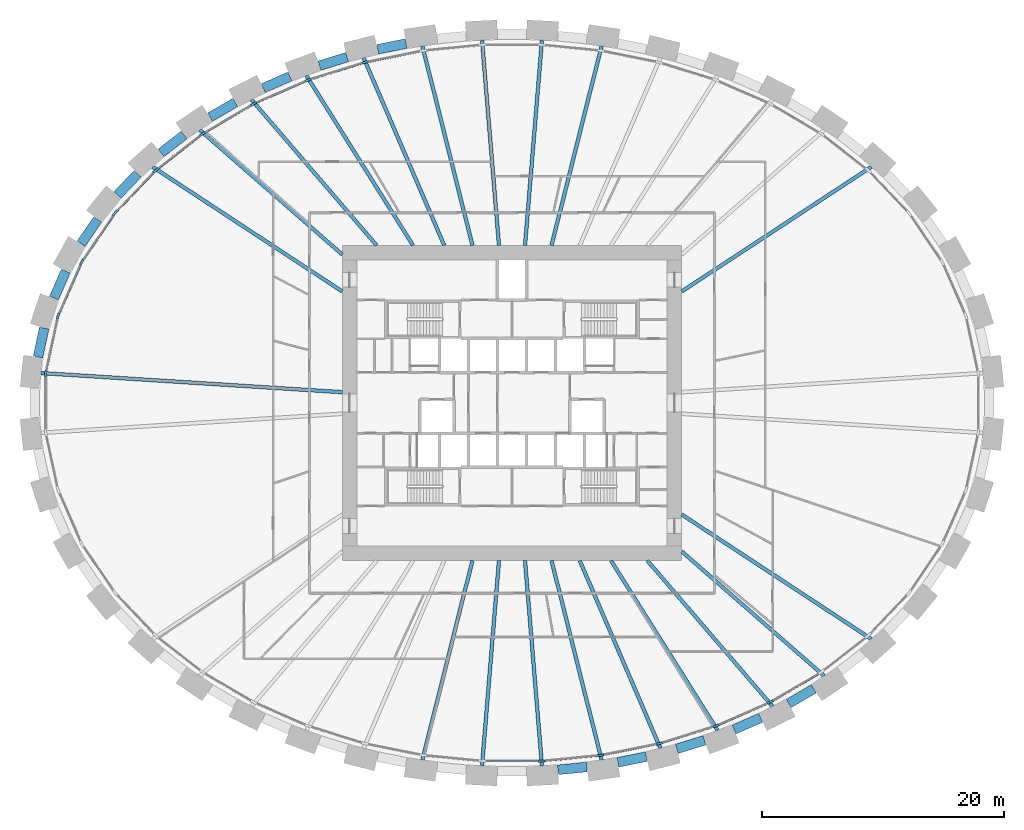
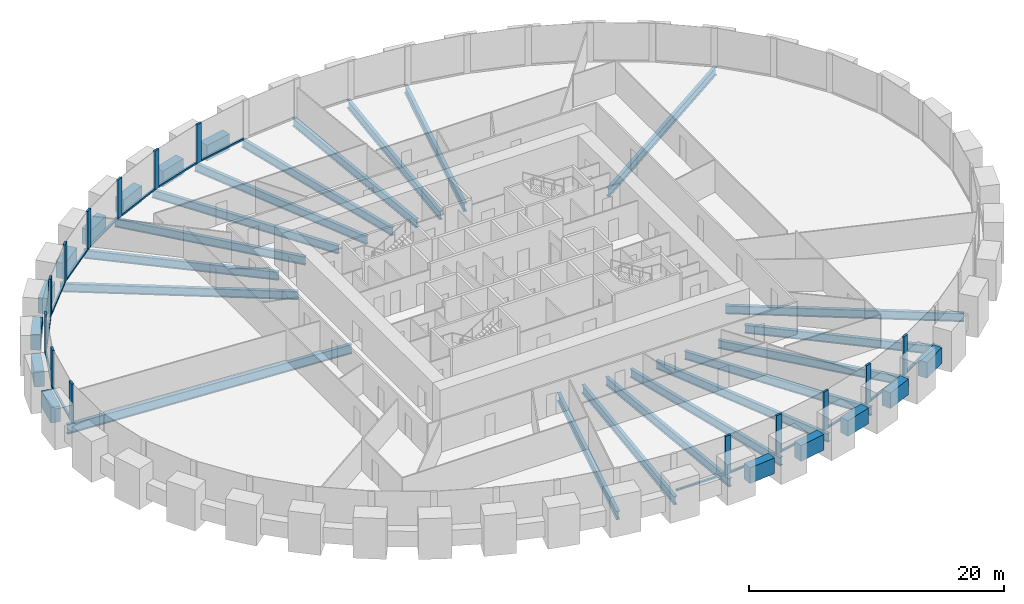
# One storey, part 2 of 11: 34 beams, 29 members, 1 element without a shape of its own.
"""IFC4 building model written with IfcOpenShell, lengths in metres."""

from ifc_helpers import new_model, si_unit, direction, frame, origin, origin_2d, place, context, subcontext, project, spatial, rectangle, i_section, extrude, source, transform, mapped, material, material_profile, profile_set, type_object, element, aggregate, save


model = new_model("IFC4")

# Units and contexts
model_context = context("Model", 3, precision=1e-05, world=origin(), true_north=direction((0.0, 1.0)))
body_context = subcontext(model_context, "Body", "Model", "MODEL_VIEW")
ifc_project = project(units=[si_unit("LENGTHUNIT", "METRE"), si_unit("AREAUNIT", "SQUARE_METRE"), si_unit("VOLUMEUNIT", "CUBIC_METRE"), si_unit("PLANEANGLEUNIT", "RADIAN"), si_unit("MASSUNIT", "GRAM", prefix="KILO")], contexts=[model_context])

# Site, building, storey
site_placement = place(None, origin())
site = spatial("IfcSite", under=ifc_project, at=site_placement, CompositionType="ELEMENT")
building_placement = place(site_placement, origin())
building = spatial("IfcBuilding", under=site, at=building_placement, Name="Embergate Tower", CompositionType="ELEMENT")
storey_placement = place(building_placement, frame((0.0, 0.0, 41.89990234375)))
storey = spatial("IfcBuildingStorey", under=building, at=storey_placement, Name="L06", CompositionType="ELEMENT", Elevation=41.89990234375)

# Beams
ifc_material_1 = material(Name="Concrete C70", Category="concrete")
ifc_material_profile_1 = material_profile(ifc_material_1, rectangle(XDim=0.800048828125, YDim=1.5, at=origin_2d()), Name="RC 800x1500")
ifc_profile_set_1 = profile_set([ifc_material_profile_1], Name="Concrete C70")
beam_type_1 = type_object("IfcBeamType", Name="Spandrel beam RC 800x1500 C70", PredefinedType="BEAM", material=ifc_profile_set_1)
shared_shape_1 = source(origin(), body_context, "Body", "SweptSolid", [
    extrude(rectangle(XDim=0.800048828125, YDim=1.5, at=origin_2d()), origin(), (0.0, 0.0, 1.0), 2.431396484375),
])
beam_1_placement = place(storey_placement, frame((-38.591064453125, 6.178955078125, 0.0), z_axis=(-0.210557552213, -0.977581463207, 0.0), x_axis=(0.977581463207, -0.210557552213, 0.0)))
element("IfcBeam", 1, at=beam_1_placement, inside=storey, type_object=beam_type_1, Name="SPN-L06-20", PredefinedType="BEAM", context=body_context, shape_type="MappedRepresentation", body=[
    mapped(shared_shape_1, transform((0.0, 0.0, 0.0))),
])
shared_shape_2 = source(origin(), body_context, "Body", "SweptSolid", [
    extrude(rectangle(XDim=0.800048828125, YDim=1.5, at=origin_2d()), origin(), (0.0, 0.0, 1.0), 2.42724609375),
])
beam_2_placement = place(storey_placement, frame((-36.81591796875, 10.8759765625, 0.0), z_axis=(-0.401710329843, -0.915766788488, 0.0), x_axis=(0.915766788488, -0.401710329843, 0.0)))
element("IfcBeam", 2, at=beam_2_placement, inside=storey, type_object=beam_type_1, Name="SPN-L06-19", PredefinedType="BEAM", context=body_context, shape_type="MappedRepresentation", body=[
    mapped(shared_shape_2, transform((0.0, 0.0, 0.0))),
])
shared_shape_3 = source(origin(), body_context, "Body", "SweptSolid", [
    extrude(rectangle(XDim=0.800048828125, YDim=1.5, at=origin_2d()), origin(), (0.0, 0.0, 1.0), 2.418701171875),
])
beam_3_placement = place(storey_placement, frame((-34.179931640625, 15.14111328125, 0.0), z_axis=(-0.562340391575, -0.82690584954, 0.0), x_axis=(0.82690584954, -0.562340391575, 0.0)))
element("IfcBeam", 3, at=beam_3_placement, inside=storey, type_object=beam_type_1, Name="SPN-L06-18", PredefinedType="BEAM", context=body_context, shape_type="MappedRepresentation", body=[
    mapped(shared_shape_3, transform((0.0, 0.0, 0.0))),
])
shared_shape_4 = source(origin(), body_context, "Body", "SweptSolid", [
    extrude(rectangle(XDim=0.800048828125, YDim=1.5, at=origin_2d()), origin(), (0.0, 0.0, 1.0), 2.410400390625),
])
beam_4_placement = place(storey_placement, frame((-30.883056640625, 18.907958984375, 0.0), z_axis=(-0.68988529803, -0.723918694027, 0.0), x_axis=(0.723918694027, -0.68988529803, 0.0)))
element("IfcBeam", 4, at=beam_4_placement, inside=storey, type_object=beam_type_1, Name="SPN-L06-17", PredefinedType="BEAM", context=body_context, shape_type="MappedRepresentation", body=[
    mapped(shared_shape_4, transform((0.0, 0.0, 0.0))),
])
shared_shape_5 = source(origin(), body_context, "Body", "SweptSolid", [
    extrude(rectangle(XDim=0.800048828125, YDim=1.5, at=origin_2d()), origin(), (0.0, 0.0, 1.0), 2.40234375),
])
beam_5_placement = place(storey_placement, frame((-27.048095703125, 22.115966796875, 0.0), z_axis=(-0.788327805862, -0.615255451423, 0.0), x_axis=(0.615255451423, -0.788327805862, 0.0)))
element("IfcBeam", 5, at=beam_5_placement, inside=storey, type_object=beam_type_1, Name="SPN-L06-16", PredefinedType="BEAM", context=body_context, shape_type="MappedRepresentation", body=[
    mapped(shared_shape_5, transform((0.0, 0.0, 0.0))),
])
shared_shape_6 = source(origin(), body_context, "Body", "SweptSolid", [
    extrude(rectangle(XDim=0.800048828125, YDim=1.5, at=origin_2d()), origin(), (0.0, 0.0, 1.0), 2.397705078125),
])
for number, where, z_axis, x_axis, name in (
    (6, (-22.8310546875, 24.79296875, 0.0), (-0.86206768602, -0.506793157728, 0.0), (0.506793157728, -0.86206768602, 0.0), "SPN-L06-15"),
    (7, (22.8310546875, -24.79296875, 0.0), (0.86206768602, 0.506793157728, 0.0), (-0.506793157728, 0.86206768602, 0.0), "SPN-L06-37"),
):
    element("IfcBeam", number, at=place(storey_placement, frame(where, z_axis=z_axis, x_axis=x_axis)), inside=storey, type_object=beam_type_1, Name=name, PredefinedType="BEAM", context=body_context, shape_type="MappedRepresentation", body=[
        mapped(shared_shape_6, transform((0.0, 0.0, 0.0))),
    ])
shared_shape_7 = source(origin(), body_context, "Body", "SweptSolid", [
    extrude(rectangle(XDim=0.800048828125, YDim=1.5, at=origin_2d()), origin(), (0.0, 0.0, 1.0), 2.394775390625),
])
for number, where, z_axis, x_axis, name in (
    (8, (-18.321044921875, 26.93505859375, 0.0), (-0.916133934694, -0.40087231596, 0.0), (0.40087231596, -0.916133934694, 0.0), "SPN-L06-14"),
    (9, (18.321044921875, -26.93505859375, 0.0), (0.916133934694, 0.40087231596, 0.0), (-0.40087231596, 0.916133934694, 0.0), "SPN-L06-36"),
):
    element("IfcBeam", number, at=place(storey_placement, frame(where, z_axis=z_axis, x_axis=x_axis)), inside=storey, type_object=beam_type_1, Name=name, PredefinedType="BEAM", context=body_context, shape_type="MappedRepresentation", body=[
        mapped(shared_shape_7, transform((0.0, 0.0, 0.0))),
    ])
shared_shape_8 = source(origin(), body_context, "Body", "SweptSolid", [
    extrude(rectangle(XDim=0.800048828125, YDim=1.5, at=origin_2d()), origin(), (0.0, 0.0, 1.0), 2.388916015625),
])
for number, where, z_axis, x_axis, name in (
    (10, (-13.596923828125, 28.534912109375, 0.0), (-0.954819405725, -0.297186645815, 0.0), (0.297186645815, -0.954819405725, 0.0), "SPN-L06-13"),
    (11, (13.596923828125, -28.534912109375, 0.0), (0.954819405725, 0.297186645815, 0.0), (-0.297186645815, 0.954819405725, 0.0), "SPN-L06-35"),
):
    element("IfcBeam", number, at=place(storey_placement, frame(where, z_axis=z_axis, x_axis=x_axis)), inside=storey, type_object=beam_type_1, Name=name, PredefinedType="BEAM", context=body_context, shape_type="MappedRepresentation", body=[
        mapped(shared_shape_8, transform((0.0, 0.0, 0.0))),
    ])
shared_shape_9 = source(origin(), body_context, "Body", "SweptSolid", [
    extrude(rectangle(XDim=0.800048828125, YDim=1.5, at=origin_2d()), origin(), (0.0, 0.0, 1.0), 2.38818359375),
])
for number, where, z_axis, x_axis, name in (
    (12, (-8.736083984375, 29.64697265625, 0.0), (-0.980529530549, -0.196371687676, 0.0), (0.196371687676, -0.980529530549, 0.0), "SPN-L06-12"),
    (13, (8.736083984375, -29.64697265625, 0.0), (0.980529530549, 0.196371687676, 0.0), (-0.196371687676, 0.980529530549, 0.0), "SPN-L06-34"),
):
    element("IfcBeam", number, at=place(storey_placement, frame(where, z_axis=z_axis, x_axis=x_axis)), inside=storey, type_object=beam_type_1, Name=name, PredefinedType="BEAM", context=body_context, shape_type="MappedRepresentation", body=[
        mapped(shared_shape_9, transform((0.0, 0.0, 0.0))),
    ])
shared_shape_10 = source(origin(), body_context, "Body", "SweptSolid", [
    extrude(rectangle(XDim=0.800048828125, YDim=1.5, at=origin_2d()), origin(), (0.0, 0.0, 1.0), 2.386474609375),
])
beam_6_placement = place(storey_placement, frame((3.7900390625, -30.263916015625, 0.0), z_axis=(0.995225797629, 0.097599240434, 0.0), x_axis=(-0.097599240434, 0.995225797629, 0.0)))
element("IfcBeam", 14, at=beam_6_placement, inside=storey, type_object=beam_type_1, Name="SPN-L06-33", PredefinedType="BEAM", context=body_context, shape_type="MappedRepresentation", body=[
    mapped(shared_shape_10, transform((0.0, 0.0, 0.0))),
])
ifc_material_2 = material(Name="Steel Q355B", Category="steel")
ifc_material_profile_2 = material_profile(ifc_material_2, i_section(OverallWidth=0.300048828125, OverallDepth=0.89990234375, WebThickness=0.01611328125, FlangeThickness=0.028076171875, FilletRadius=0.028076171875, at=origin_2d()), Name="HN 900x300x16x28")
ifc_profile_set_2 = profile_set([ifc_material_profile_2], Name="Steel Q355 grade B")
beam_type_2 = type_object("IfcBeamType", Name="Radial girder HN 900x300x16x28", PredefinedType="BEAM", material=ifc_profile_set_2)
shared_shape_11 = source(origin(), body_context, "Body", "SweptSolid", [
    extrude(i_section(OverallWidth=0.300048828125, OverallDepth=0.89990234375, WebThickness=0.01611328125, FlangeThickness=0.028076171875, FilletRadius=0.028076171875, at=origin_2d()), origin(), (0.0, 0.0, 1.0), 24.907958984375),
])
beam_7_placement = place(storey_placement, frame((-38.85791015625, 2.468994140625, -0.64990234375), z_axis=(0.997985884947, -0.063436373209, 0.0), x_axis=(0.063436373209, 0.997985884947, 0.0)))
element("IfcBeam", 15, at=beam_7_placement, inside=storey, type_object=beam_type_2, Name="GIR-L06-21", PredefinedType="BEAM", context=body_context, shape_type="MappedRepresentation", body=[
    mapped(shared_shape_11, transform((0.0, 0.0, 0.0))),
])
ifc_material_profile_3 = material_profile(ifc_material_2, i_section(OverallWidth=0.300048828125, OverallDepth=0.800048828125, WebThickness=0.013916015625, FlangeThickness=0.02587890625, FilletRadius=0.028076171875, at=origin_2d()), Name="HN 800x300x14x26")
ifc_profile_set_3 = profile_set([ifc_material_profile_3], Name="Steel Q355 grade B")
beam_type_3 = type_object("IfcBeamType", Name="Radial girder HN 800x300x14x26", PredefinedType="BEAM", material=ifc_profile_set_3)
shared_shape_12 = source(origin(), body_context, "Body", "SweptSolid", [
    extrude(i_section(OverallWidth=0.300048828125, OverallDepth=0.800048828125, WebThickness=0.013916015625, FlangeThickness=0.02587890625, FilletRadius=0.028076171875, at=origin_2d()), origin(), (0.0, 0.0, 1.0), 18.72314453125),
])
for number, where, z_axis, x_axis, name in (
    (16, (29.64794921875, 19.47900390625, -0.599853515625), (-0.835752839517, -0.549105810605, 0.0), (0.549105810605, -0.835752839517, 0.0), "GIR-L06-04"),
    (17, (-29.64794921875, 19.47900390625, -0.599853515625), (0.835752839517, -0.549105810605, 0.0), (0.549105810605, 0.835752839517, 0.0), "GIR-L06-17"),
    (18, (29.64794921875, -19.47900390625, -0.599853515625), (-0.835752839517, 0.549105810605, 0.0), (-0.549105810605, -0.835752839517, 0.0), "GIR-L06-39"),
):
    element("IfcBeam", number, at=place(storey_placement, frame(where, z_axis=z_axis, x_axis=x_axis)), inside=storey, type_object=beam_type_3, Name=name, PredefinedType="BEAM", context=body_context, shape_type="MappedRepresentation", body=[
        mapped(shared_shape_12, transform((0.0, 0.0, 0.0))),
    ])
shared_shape_13 = source(origin(), body_context, "Body", "SweptSolid", [
    extrude(i_section(OverallWidth=0.300048828125, OverallDepth=0.800048828125, WebThickness=0.013916015625, FlangeThickness=0.02587890625, FilletRadius=0.028076171875, at=origin_2d()), origin(), (0.0, 0.0, 1.0), 15.611083984375),
])
for number, where, z_axis, x_axis, name in (
    (19, (-25.751953125, 22.51904296875, -0.599853515625), (0.752793660755, -0.658256564211, 0.0), (0.658256564211, 0.752793660755, 0.0), "GIR-L06-16"),
    (20, (25.751953125, -22.51904296875, -0.599853515625), (-0.752793660755, 0.658256564211, 0.0), (-0.658256564211, -0.752793660755, 0.0), "GIR-L06-38"),
):
    element("IfcBeam", number, at=place(storey_placement, frame(where, z_axis=z_axis, x_axis=x_axis)), inside=storey, type_object=beam_type_3, Name=name, PredefinedType="BEAM", context=body_context, shape_type="MappedRepresentation", body=[
        mapped(shared_shape_13, transform((0.0, 0.0, 0.0))),
    ])
shared_shape_14 = source(origin(), body_context, "Body", "SweptSolid", [
    extrude(i_section(OverallWidth=0.300048828125, OverallDepth=0.800048828125, WebThickness=0.013916015625, FlangeThickness=0.02587890625, FilletRadius=0.028076171875, at=origin_2d()), origin(), (0.0, 0.0, 1.0), 15.8505859375),
])
for number, where, z_axis, x_axis, name in (
    (21, (-21.490966796875, 25.02490234375, -0.599853515625), (0.651512825192, -0.758637620086, 0.0), (0.758637620086, 0.651512825192, 0.0), "GIR-L06-15"),
    (22, (21.490966796875, -25.02490234375, -0.599853515625), (-0.651512825192, 0.758637620086, 0.0), (-0.758637620086, -0.651512825192, 0.0), "GIR-L06-37"),
):
    element("IfcBeam", number, at=place(storey_placement, frame(where, z_axis=z_axis, x_axis=x_axis)), inside=storey, type_object=beam_type_3, Name=name, PredefinedType="BEAM", context=body_context, shape_type="MappedRepresentation", body=[
        mapped(shared_shape_14, transform((0.0, 0.0, 0.0))),
    ])
shared_shape_15 = source(origin(), body_context, "Body", "SweptSolid", [
    extrude(i_section(OverallWidth=0.300048828125, OverallDepth=0.800048828125, WebThickness=0.013916015625, FlangeThickness=0.02587890625, FilletRadius=0.028076171875, at=origin_2d()), origin(), (0.0, 0.0, 1.0), 16.5390625),
])
for number, where, z_axis, x_axis, name in (
    (23, (-16.9599609375, 27.006103515625, -0.599853515625), (0.53182746927, -0.846852728005, 0.0), (0.846852728005, 0.53182746927, 0.0), "GIR-L06-14"),
    (24, (16.9599609375, -27.006103515625, -0.599853515625), (-0.53182746927, 0.846852728005, 0.0), (-0.846852728005, -0.53182746927, 0.0), "GIR-L06-36"),
):
    element("IfcBeam", number, at=place(storey_placement, frame(where, z_axis=z_axis, x_axis=x_axis)), inside=storey, type_object=beam_type_3, Name=name, PredefinedType="BEAM", context=body_context, shape_type="MappedRepresentation", body=[
        mapped(shared_shape_15, transform((0.0, 0.0, 0.0))),
    ])
shared_shape_16 = source(origin(), body_context, "Body", "SweptSolid", [
    extrude(i_section(OverallWidth=0.300048828125, OverallDepth=0.800048828125, WebThickness=0.013916015625, FlangeThickness=0.02587890625, FilletRadius=0.028076171875, at=origin_2d()), origin(), (0.0, 0.0, 1.0), 16.845458984375),
])
for number, where, z_axis, x_axis, name in (
    (25, (-12.240966796875, 28.47607421875, -0.599853515625), (0.394945799239, -0.91870442236, 0.0), (0.91870442236, 0.394945799239, 0.0), "GIR-L06-13"),
    (26, (12.240966796875, -28.47607421875, -0.599853515625), (-0.394945799239, 0.91870442236, 0.0), (-0.91870442236, -0.394945799239, 0.0), "GIR-L06-35"),
):
    element("IfcBeam", number, at=place(storey_placement, frame(where, z_axis=z_axis, x_axis=x_axis)), inside=storey, type_object=beam_type_3, Name=name, PredefinedType="BEAM", context=body_context, shape_type="MappedRepresentation", body=[
        mapped(shared_shape_16, transform((0.0, 0.0, 0.0))),
    ])
shared_shape_17 = source(origin(), body_context, "Body", "SweptSolid", [
    extrude(i_section(OverallWidth=0.300048828125, OverallDepth=0.800048828125, WebThickness=0.013916015625, FlangeThickness=0.02587890625, FilletRadius=0.028076171875, at=origin_2d()), origin(), (0.0, 0.0, 1.0), 16.95849609375),
])
for number, where, z_axis, x_axis, name in (
    (27, (7.39208984375, 29.447998046875, -0.599853515625), (-0.243487368516, -0.969904068129, 0.0), (0.969904068129, -0.243487368516, 0.0), "GIR-L06-09"),
    (28, (-7.39208984375, 29.447998046875, -0.599853515625), (0.243487368516, -0.969904068129, 0.0), (0.969904068129, 0.243487368516, 0.0), "GIR-L06-12"),
    (29, (-7.39208984375, -29.447998046875, -0.599853515625), (0.243487368516, 0.969904068129, 0.0), (-0.969904068129, 0.243487368516, 0.0), "GIR-L06-31"),
    (30, (7.39208984375, -29.447998046875, -0.599853515625), (-0.243487368516, 0.969904068129, 0.0), (-0.969904068129, -0.243487368516, 0.0), "GIR-L06-34"),
):
    element("IfcBeam", number, at=place(storey_placement, frame(where, z_axis=z_axis, x_axis=x_axis)), inside=storey, type_object=beam_type_3, Name=name, PredefinedType="BEAM", context=body_context, shape_type="MappedRepresentation", body=[
        mapped(shared_shape_17, transform((0.0, 0.0, 0.0))),
    ])
shared_shape_18 = source(origin(), body_context, "Body", "SweptSolid", [
    extrude(i_section(OverallWidth=0.300048828125, OverallDepth=0.800048828125, WebThickness=0.013916015625, FlangeThickness=0.02587890625, FilletRadius=0.028076171875, at=origin_2d()), origin(), (0.0, 0.0, 1.0), 16.989501953125),
])
for number, where, z_axis, x_axis, name in (
    (31, (2.471923828125, 29.931884765625, -0.599853515625), (-0.082283146951, -0.996608992398, 0.0), (0.996608992398, -0.082283146951, 0.0), "GIR-L06-10"),
    (32, (-2.471923828125, 29.931884765625, -0.599853515625), (0.082283146951, -0.996608992398, 0.0), (0.996608992398, 0.082283146951, 0.0), "GIR-L06-11"),
    (33, (-2.471923828125, -29.931884765625, -0.599853515625), (0.082283146951, 0.996608992398, 0.0), (-0.996608992398, 0.082283146951, 0.0), "GIR-L06-32"),
    (34, (2.471923828125, -29.931884765625, -0.599853515625), (-0.082283146951, 0.996608992398, 0.0), (-0.996608992398, -0.082283146951, 0.0), "GIR-L06-33"),
):
    element("IfcBeam", number, at=place(storey_placement, frame(where, z_axis=z_axis, x_axis=x_axis)), inside=storey, type_object=beam_type_3, Name=name, PredefinedType="BEAM", context=body_context, shape_type="MappedRepresentation", body=[
        mapped(shared_shape_18, transform((0.0, 0.0, 0.0))),
    ])

# Curtain wall, members
ifc_material_3 = material(Name="Aluminium and glass", Category="aluminium")
curtain_wall_type = type_object("IfcCurtainWallType", Name="Recessed office glazing", PredefinedType="NOTDEFINED", material=ifc_material_3)
curtain_wall_placement = place(storey_placement, origin())
curtain_wall = element("IfcCurtainWall", 35, at=curtain_wall_placement, inside=storey, type_object=curtain_wall_type, Name="Recessed office glazing ring", ObjectType="RECESSED OFFICE GLAZING", PredefinedType="USERDEFINED")
ifc_material_4 = material(Name="Aluminium, thermally broken", Category="aluminium")
ifc_material_profile_4 = material_profile(ifc_material_4, rectangle(XDim=0.179931640625, YDim=0.14990234375, at=origin_2d()), Name="AL 150x180")
ifc_profile_set_4 = profile_set([ifc_material_profile_4], Name="Aluminium, thermally broken")
member_type_1 = type_object("IfcMemberType", Name="Office sill transom", PredefinedType="USERDEFINED", material=ifc_profile_set_4)
shared_shape_19 = source(origin(), body_context, "Body", "SweptSolid", [
    extrude(rectangle(XDim=0.179931640625, YDim=0.14990234375, at=origin_2d()), origin(), (0.0, 0.0, 1.0), 4.33642578125),
])
member_1_placement = place(storey_placement, frame((-37.5029296875, 6.920166015625, 0.0751953125), z_axis=(-0.210397968538, -0.977615821699, 0.0), x_axis=(0.977615821699, -0.210397968538, 0.0)))
member_1 = element("IfcMember", 36, at=member_1_placement, type_object=member_type_1, Name="CW transom 21.1", ObjectType="TRANSOM", PredefinedType="USERDEFINED", context=body_context, shape_type="MappedRepresentation", body=[
    mapped(shared_shape_19, transform((0.0, 0.0, 0.0))),
])
shared_shape_20 = source(origin(), body_context, "Body", "SweptSolid", [
    extrude(rectangle(XDim=0.179931640625, YDim=0.14990234375, at=origin_2d()), origin(), (0.0, 0.0, 1.0), 4.34326171875),
])
member_2_placement = place(storey_placement, frame((-35.599365234375, 11.389892578125, 0.0751953125), z_axis=(-0.401632547459, -0.915800904576, 0.0), x_axis=(0.915800904576, -0.401632547459, 0.0)))
member_2 = element("IfcMember", 37, at=member_2_placement, type_object=member_type_1, Name="CW transom 20.1", ObjectType="TRANSOM", PredefinedType="USERDEFINED", context=body_context, shape_type="MappedRepresentation", body=[
    mapped(shared_shape_20, transform((0.0, 0.0, 0.0))),
])
shared_shape_21 = source(origin(), body_context, "Body", "SweptSolid", [
    extrude(rectangle(XDim=0.179931640625, YDim=0.14990234375, at=origin_2d()), origin(), (0.0, 0.0, 1.0), 4.352294921875),
])
member_3_placement = place(storey_placement, frame((-32.901123046875, 15.44189453125, 0.0751953125), z_axis=(-0.562352981855, -0.826897287333, 0.0), x_axis=(0.826897287333, -0.562352981855, 0.0)))
member_3 = element("IfcMember", 38, at=member_3_placement, type_object=member_type_1, Name="CW transom 19.1", ObjectType="TRANSOM", PredefinedType="USERDEFINED", context=body_context, shape_type="MappedRepresentation", body=[
    mapped(shared_shape_21, transform((0.0, 0.0, 0.0))),
])
shared_shape_22 = source(origin(), body_context, "Body", "SweptSolid", [
    extrude(rectangle(XDim=0.179931640625, YDim=0.14990234375, at=origin_2d()), origin(), (0.0, 0.0, 1.0), 4.361083984375),
])
member_4_placement = place(storey_placement, frame((-29.56591796875, 19.0009765625, 0.0751953125), z_axis=(-0.690141477818, -0.723674471427, 0.0), x_axis=(0.723674471427, -0.690141477818, 0.0)))
member_4 = element("IfcMember", 39, at=member_4_placement, type_object=member_type_1, Name="CW transom 18.1", ObjectType="TRANSOM", PredefinedType="USERDEFINED", context=body_context, shape_type="MappedRepresentation", body=[
    mapped(shared_shape_22, transform((0.0, 0.0, 0.0))),
])
shared_shape_23 = source(origin(), body_context, "Body", "SweptSolid", [
    extrude(rectangle(XDim=0.179931640625, YDim=0.14990234375, at=origin_2d()), origin(), (0.0, 0.0, 1.0), 4.368408203125),
])
member_5_placement = place(storey_placement, frame((-25.73779296875, 22.036865234375, 0.0751953125), z_axis=(-0.788309833008, -0.615278479375, 0.0), x_axis=(0.615278479375, -0.788309833008, 0.0)))
member_5 = element("IfcMember", 40, at=member_5_placement, type_object=member_type_1, Name="CW transom 17.1", ObjectType="TRANSOM", PredefinedType="USERDEFINED", context=body_context, shape_type="MappedRepresentation", body=[
    mapped(shared_shape_23, transform((0.0, 0.0, 0.0))),
])
shared_shape_24 = source(origin(), body_context, "Body", "SweptSolid", [
    extrude(rectangle(XDim=0.179931640625, YDim=0.14990234375, at=origin_2d()), origin(), (0.0, 0.0, 1.0), 4.37451171875),
])
member_6_placement = place(storey_placement, frame((-21.53759765625, 24.545654296875, 0.0751953125), z_axis=(-0.862053273507, -0.506817672971, 0.0), x_axis=(0.506817672971, -0.862053273507, 0.0)))
member_6 = element("IfcMember", 41, at=member_6_placement, type_object=member_type_1, Name="CW transom 16.1", ObjectType="TRANSOM", PredefinedType="USERDEFINED", context=body_context, shape_type="MappedRepresentation", body=[
    mapped(shared_shape_24, transform((0.0, 0.0, 0.0))),
])
member_7_placement = place(storey_placement, frame((21.53759765625, -24.545654296875, 0.0751953125), z_axis=(0.862053273507, 0.506817672971, 0.0), x_axis=(-0.506817672971, 0.862053273507, 0.0)))
member_7 = element("IfcMember", 42, at=member_7_placement, type_object=member_type_1, Name="CW transom 38.1", ObjectType="TRANSOM", PredefinedType="USERDEFINED", context=body_context, shape_type="MappedRepresentation", body=[
    mapped(shared_shape_24, transform((0.0, 0.0, 0.0))),
])
shared_shape_25 = source(origin(), body_context, "Body", "SweptSolid", [
    extrude(rectangle(XDim=0.179931640625, YDim=0.14990234375, at=origin_2d()), origin(), (0.0, 0.0, 1.0), 4.37890625),
])
member_8_placement = place(storey_placement, frame((-17.06298828125, 26.535888671875, 0.0751953125), z_axis=(-0.916236650028, -0.400637493434, 0.0), x_axis=(0.400637493434, -0.916236650028, 0.0)))
member_8 = element("IfcMember", 43, at=member_8_placement, type_object=member_type_1, Name="CW transom 15.1", ObjectType="TRANSOM", PredefinedType="USERDEFINED", context=body_context, shape_type="MappedRepresentation", body=[
    mapped(shared_shape_25, transform((0.0, 0.0, 0.0))),
])
member_9_placement = place(storey_placement, frame((17.06298828125, -26.535888671875, 0.0751953125), z_axis=(0.916236650028, 0.400637493434, 0.0), x_axis=(-0.400637493434, 0.916236650028, 0.0)))
member_9 = element("IfcMember", 44, at=member_9_placement, type_object=member_type_1, Name="CW transom 37.1", ObjectType="TRANSOM", PredefinedType="USERDEFINED", context=body_context, shape_type="MappedRepresentation", body=[
    mapped(shared_shape_25, transform((0.0, 0.0, 0.0))),
])
shared_shape_26 = source(origin(), body_context, "Body", "SweptSolid", [
    extrude(rectangle(XDim=0.179931640625, YDim=0.14990234375, at=origin_2d()), origin(), (0.0, 0.0, 1.0), 4.38232421875),
])
member_10_placement = place(storey_placement, frame((-12.392578125, 28.0205078125, 0.0751953125), z_axis=(-0.954759100468, -0.297380328994, 0.0), x_axis=(0.297380328994, -0.954759100468, 0.0)))
member_10 = element("IfcMember", 45, at=member_10_placement, type_object=member_type_1, Name="CW transom 14.1", ObjectType="TRANSOM", PredefinedType="USERDEFINED", context=body_context, shape_type="MappedRepresentation", body=[
    mapped(shared_shape_26, transform((0.0, 0.0, 0.0))),
])
member_11_placement = place(storey_placement, frame((12.392578125, -28.0205078125, 0.0751953125), z_axis=(0.954759100468, 0.297380328994, 0.0), x_axis=(-0.297380328994, 0.954759100468, 0.0)))
member_11 = element("IfcMember", 46, at=member_11_placement, type_object=member_type_1, Name="CW transom 36.1", ObjectType="TRANSOM", PredefinedType="USERDEFINED", context=body_context, shape_type="MappedRepresentation", body=[
    mapped(shared_shape_26, transform((0.0, 0.0, 0.0))),
])
shared_shape_27 = source(origin(), body_context, "Body", "SweptSolid", [
    extrude(rectangle(XDim=0.179931640625, YDim=0.14990234375, at=origin_2d()), origin(), (0.0, 0.0, 1.0), 4.384765625),
])
member_12_placement = place(storey_placement, frame((-7.59033203125, 29.010986328125, 0.0751953125), z_axis=(-0.980482039913, -0.196608670733, 0.0), x_axis=(0.196608670733, -0.980482039913, 0.0)))
member_12 = element("IfcMember", 47, at=member_12_placement, type_object=member_type_1, Name="CW transom 13.1", ObjectType="TRANSOM", PredefinedType="USERDEFINED", context=body_context, shape_type="MappedRepresentation", body=[
    mapped(shared_shape_27, transform((0.0, 0.0, 0.0))),
])
member_13_placement = place(storey_placement, frame((7.59033203125, -29.010986328125, 0.0751953125), z_axis=(0.980482039913, 0.196608670733, 0.0), x_axis=(-0.196608670733, 0.980482039913, 0.0)))
member_13 = element("IfcMember", 48, at=member_13_placement, type_object=member_type_1, Name="CW transom 35.1", ObjectType="TRANSOM", PredefinedType="USERDEFINED", context=body_context, shape_type="MappedRepresentation", body=[
    mapped(shared_shape_27, transform((0.0, 0.0, 0.0))),
])
shared_shape_28 = source(origin(), body_context, "Body", "SweptSolid", [
    extrude(rectangle(XDim=0.179931640625, YDim=0.14990234375, at=origin_2d()), origin(), (0.0, 0.0, 1.0), 4.3857421875),
])
member_14_placement = place(storey_placement, frame((2.7119140625, -29.5166015625, 0.0751953125), z_axis=(0.995205497416, 0.097806021868, 0.0), x_axis=(-0.097806021868, 0.995205497416, 0.0)))
member_14 = element("IfcMember", 49, at=member_14_placement, type_object=member_type_1, Name="CW transom 34.1", ObjectType="TRANSOM", PredefinedType="USERDEFINED", context=body_context, shape_type="MappedRepresentation", body=[
    mapped(shared_shape_28, transform((0.0, 0.0, 0.0))),
])
shared_shape_29 = source(origin(), body_context, "Body", "SweptSolid", [
    extrude(rectangle(XDim=0.179931640625, YDim=0.14990234375, at=origin_2d()), origin(), (0.0, 0.0, 1.0), 4.38623046875),
])
member_15_placement = place(storey_placement, frame((-2.193115234375, -29.5419921875, 0.0751953125), z_axis=(1.0, 0.0, 0.0), x_axis=(0.0, 1.0, 0.0)))
member_15 = element("IfcMember", 50, at=member_15_placement, type_object=member_type_1, Name="CW transom 33.1", ObjectType="TRANSOM", PredefinedType="USERDEFINED", context=body_context, shape_type="MappedRepresentation", body=[
    mapped(shared_shape_29, transform((0.0, 0.0, 0.0))),
])
ifc_material_profile_5 = material_profile(ifc_material_4, rectangle(XDim=0.179931640625, YDim=0.52001953125, at=origin_2d()), Name="AL 520x180")
ifc_profile_set_5 = profile_set([ifc_material_profile_5], Name="Aluminium, thermally broken")
member_type_2 = type_object("IfcMemberType", Name="Office mullion", PredefinedType="MULLION", material=ifc_profile_set_5)
shared_shape_30 = source(origin(), body_context, "Body", "SweptSolid", [
    extrude(rectangle(XDim=0.179931640625, YDim=0.52001953125, at=origin_2d()), origin(), (0.0, 0.0, 1.0), 3.7001953125),
])
member_16_placement = place(storey_placement, frame((-12.144287109375, 28.097900390625, 0.0), z_axis=(0.0, 0.0, 1.0), x_axis=(0.247310190257, -0.968936360034, 0.0)))
member_16 = element("IfcMember", 51, at=member_16_placement, type_object=member_type_2, Name="CW mullion 14", PredefinedType="MULLION", context=body_context, shape_type="MappedRepresentation", body=[
    mapped(shared_shape_30, transform((0.0, 0.0, 0.0))),
])
member_17_placement = place(storey_placement, frame((-16.824951171875, 26.64013671875, 0.0), z_axis=(0.0, 0.0, 1.0), x_axis=(0.349501047589, -0.936935973124, 0.0)))
member_17 = element("IfcMember", 52, at=member_17_placement, type_object=member_type_2, Name="CW mullion 15", PredefinedType="MULLION", context=body_context, shape_type="MappedRepresentation", body=[
    mapped(shared_shape_30, transform((0.0, 0.0, 0.0))),
])
member_18_placement = place(storey_placement, frame((-21.3134765625, 24.677490234375, 0.0), z_axis=(0.0, 0.0, 1.0), x_axis=(0.454509825889, -0.890741723605, 0.0)))
member_18 = element("IfcMember", 53, at=member_18_placement, type_object=member_type_2, Name="CW mullion 16", PredefinedType="MULLION", context=body_context, shape_type="MappedRepresentation", body=[
    mapped(shared_shape_30, transform((0.0, 0.0, 0.0))),
])
member_19_placement = place(storey_placement, frame((-25.53271484375, 22.19677734375, 0.0), z_axis=(0.0, 0.0, 1.0), x_axis=(0.562216175174, -0.826990309721, 0.0)))
member_19 = element("IfcMember", 54, at=member_19_placement, type_object=member_type_2, Name="CW mullion 17", PredefinedType="MULLION", context=body_context, shape_type="MappedRepresentation", body=[
    mapped(shared_shape_30, transform((0.0, 0.0, 0.0))),
])
member_20_placement = place(storey_placement, frame((-29.386474609375, 19.189208984375, 0.0), z_axis=(0.0, 0.0, 1.0), x_axis=(0.671226533956, -0.741252278319, 0.0)))
member_20 = element("IfcMember", 55, at=member_20_placement, type_object=member_type_2, Name="CW mullion 18", PredefinedType="MULLION", context=body_context, shape_type="MappedRepresentation", body=[
    mapped(shared_shape_30, transform((0.0, 0.0, 0.0))),
])
member_21_placement = place(storey_placement, frame((-32.7548828125, 15.656982421875, 0.0), z_axis=(0.0, 0.0, 1.0), x_axis=(0.777873661157, -0.62842069291, 0.0)))
member_21 = element("IfcMember", 56, at=member_21_placement, type_object=member_type_2, Name="CW mullion 19", PredefinedType="MULLION", context=body_context, shape_type="MappedRepresentation", body=[
    mapped(shared_shape_30, transform((0.0, 0.0, 0.0))),
])
member_22_placement = place(storey_placement, frame((-35.494873046875, 11.628173828125, 0.0), z_axis=(0.0, 0.0, 1.0), x_axis=(0.875002740779, -0.484117964581, 0.0)))
member_22 = element("IfcMember", 57, at=member_22_placement, type_object=member_type_2, Name="CW mullion 20", PredefinedType="MULLION", context=body_context, shape_type="MappedRepresentation", body=[
    mapped(shared_shape_30, transform((0.0, 0.0, 0.0))),
])
member_23_placement = place(storey_placement, frame((-37.4482421875, 7.17431640625, 0.0), z_axis=(0.0, 0.0, 1.0), x_axis=(0.951498871907, -0.307652233471, 0.0)))
member_23 = element("IfcMember", 58, at=member_23_placement, type_object=member_type_2, Name="CW mullion 21", PredefinedType="MULLION", context=body_context, shape_type="MappedRepresentation", body=[
    mapped(shared_shape_30, transform((0.0, 0.0, 0.0))),
])
member_24_placement = place(storey_placement, frame((-38.469970703125, 2.4267578125, 0.0), z_axis=(0.0, 0.0, 1.0), x_axis=(0.994384954736, -0.105823257345, 0.0)))
member_24 = element("IfcMember", 59, at=member_24_placement, type_object=member_type_2, Name="CW mullion 22", PredefinedType="MULLION", context=body_context, shape_type="MappedRepresentation", body=[
    mapped(shared_shape_30, transform((0.0, 0.0, 0.0))),
])
member_25_placement = place(storey_placement, frame((2.453125, -29.5419921875, 0.0), z_axis=(0.0, 0.0, 1.0), x_axis=(-0.048971796621, 0.998800161762, 0.0)))
member_25 = element("IfcMember", 60, at=member_25_placement, type_object=member_type_2, Name="CW mullion 34", PredefinedType="MULLION", context=body_context, shape_type="MappedRepresentation", body=[
    mapped(shared_shape_30, transform((0.0, 0.0, 0.0))),
])
member_26_placement = place(storey_placement, frame((7.33544921875, -29.062255859375, 0.0), z_axis=(0.0, 0.0, 1.0), x_axis=(-0.147410656556, 0.989075375456, 0.0)))
member_26 = element("IfcMember", 61, at=member_26_placement, type_object=member_type_2, Name="CW mullion 35", PredefinedType="MULLION", context=body_context, shape_type="MappedRepresentation", body=[
    mapped(shared_shape_30, transform((0.0, 0.0, 0.0))),
])
member_27_placement = place(storey_placement, frame((12.144287109375, -28.097900390625, 0.0), z_axis=(0.0, 0.0, 1.0), x_axis=(-0.247310190257, 0.968936360034, 0.0)))
member_27 = element("IfcMember", 62, at=member_27_placement, type_object=member_type_2, Name="CW mullion 36", PredefinedType="MULLION", context=body_context, shape_type="MappedRepresentation", body=[
    mapped(shared_shape_30, transform((0.0, 0.0, 0.0))),
])
member_28_placement = place(storey_placement, frame((16.824951171875, -26.64013671875, 0.0), z_axis=(0.0, 0.0, 1.0), x_axis=(-0.349501047589, 0.936935973124, 0.0)))
member_28 = element("IfcMember", 63, at=member_28_placement, type_object=member_type_2, Name="CW mullion 37", PredefinedType="MULLION", context=body_context, shape_type="MappedRepresentation", body=[
    mapped(shared_shape_30, transform((0.0, 0.0, 0.0))),
])
member_29_placement = place(storey_placement, frame((21.3134765625, -24.677490234375, 0.0), z_axis=(0.0, 0.0, 1.0), x_axis=(-0.454509825889, 0.890741723605, 0.0)))
member_29 = element("IfcMember", 64, at=member_29_placement, type_object=member_type_2, Name="CW mullion 38", PredefinedType="MULLION", context=body_context, shape_type="MappedRepresentation", body=[
    mapped(shared_shape_30, transform((0.0, 0.0, 0.0))),
])
aggregate(curtain_wall, [member_16, member_17, member_18, member_19, member_20, member_21, member_22, member_23, member_24, member_25, member_26, member_27, member_28, member_29, member_12, member_10, member_8, member_6, member_5, member_4, member_3, member_2, member_1, member_15, member_14, member_13, member_11, member_9, member_7])

save(model, "model.ifc")
